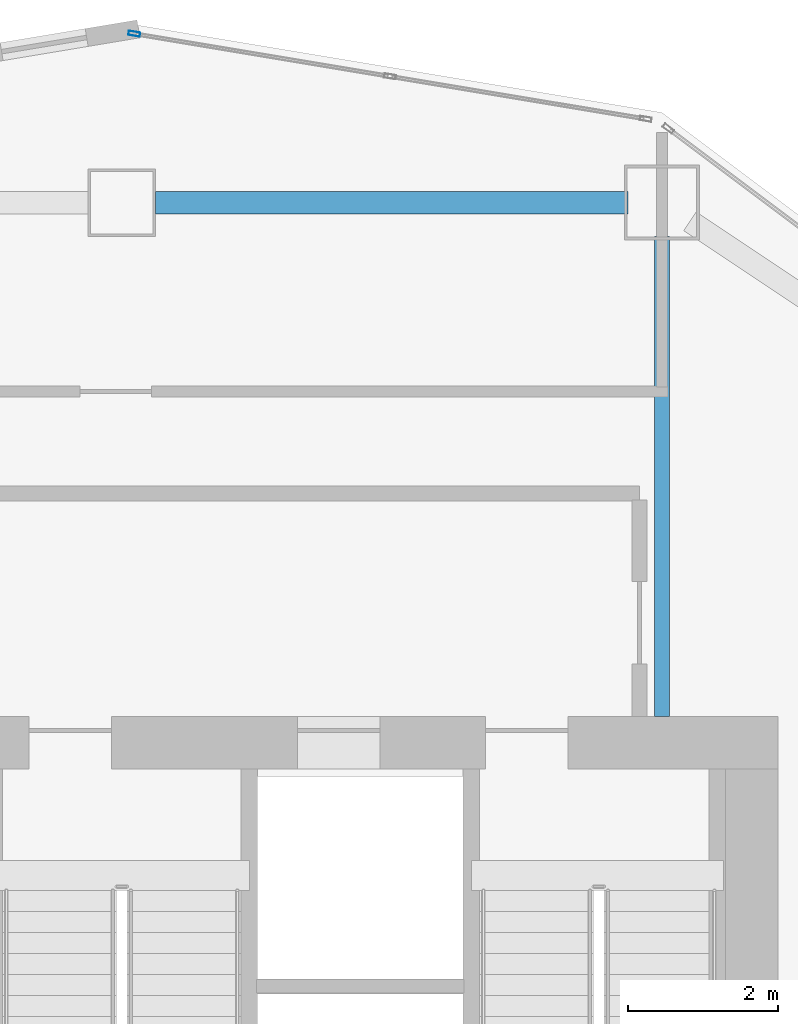
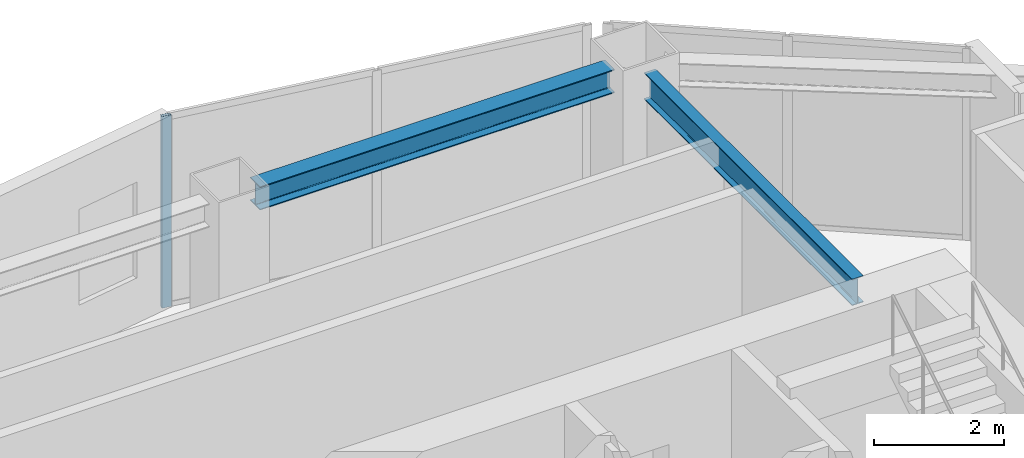
# One storey, part 2 of 13: 2 beams, 1 member, 1 element without a shape of its own.
"""IFC4 building model written with IfcOpenShell, lengths in metres."""

from ifc_helpers import new_model, si_unit, direction, frame, origin, origin_2d, place, context, subcontext, project, spatial, hollow_rectangle, i_section, extrude, material, layer, layer_set, material_profile, profile_set, type_object, element, aggregate, save


model = new_model("IFC4")

# Units and contexts
model_context = context("Model", 3, precision=1e-05, world=origin(), true_north=direction((0.0, 1.0)))
body_context = subcontext(model_context, "Body", "Model", "MODEL_VIEW")
ifc_project = project(units=[si_unit("LENGTHUNIT", "METRE"), si_unit("AREAUNIT", "SQUARE_METRE"), si_unit("VOLUMEUNIT", "CUBIC_METRE"), si_unit("PLANEANGLEUNIT", "RADIAN"), si_unit("MASSUNIT", "GRAM", prefix="KILO")], contexts=[model_context])

# Site, building, storey
site_placement = place(None, origin())
site = spatial("IfcSite", under=ifc_project, at=site_placement, CompositionType="ELEMENT")
building_placement = place(site_placement, origin())
building = spatial("IfcBuilding", under=site, at=building_placement, Name="Haolan Belvedere Tower", CompositionType="ELEMENT")
storey_placement = place(building_placement, frame((0.0, 0.0, 128.800048828125)))
storey = spatial("IfcBuildingStorey", under=building, at=storey_placement, Name="L32", CompositionType="ELEMENT", Elevation=128.800048828125)

# Beams
ifc_material_1 = material(Name="Steel Q355B", Category="steel")
ifc_material_profile_1 = material_profile(ifc_material_1, i_section(OverallWidth=0.300048828125, OverallDepth=0.43994140625, WebThickness=0.010986328125, FlangeThickness=0.01806640625, FilletRadius=0.02392578125, at=origin_2d()), Name="Steel Q355B")
ifc_profile_set_1 = profile_set([ifc_material_profile_1], Name="Steel Q355B")
beam_type_1 = type_object("IfcBeamType", Name="BM-HM440x300x11x18", PredefinedType="SPANDREL", material=ifc_profile_set_1)
beam_1_placement = place(storey_placement, frame((38.85009765625, 50.39990234375, 3.3798828125), z_axis=(1.0, 0.0, 0.0), x_axis=(0.0, 1.0, 0.0)))
element("IfcBeam", 1, at=beam_1_placement, inside=storey, type_object=beam_type_1, Name="L32 spandrel girder TC-T3-NM-MC-T3-N2", PredefinedType="SPANDREL", context=body_context, shape_type="SweptSolid", body=[
    extrude(i_section(OverallWidth=0.300048828125, OverallDepth=0.43994140625, WebThickness=0.010986328125, FlangeThickness=0.01806640625, FilletRadius=0.02392578125, at=origin_2d()), origin(), (0.0, 0.0, 1.0), 6.2998046875),
])
ifc_material_profile_2 = material_profile(ifc_material_1, i_section(OverallWidth=0.199951171875, OverallDepth=0.5, WebThickness=0.010009765625, FlangeThickness=0.01611328125, FilletRadius=0.02001953125, at=origin_2d()), Name="Steel Q355B")
ifc_profile_set_2 = profile_set([ifc_material_profile_2], Name="Steel Q355B")
beam_type_2 = type_object("IfcBeamType", Name="BM-HN500x200x10x16", PredefinedType="BEAM", material=ifc_profile_set_2)
beam_2_placement = place(storey_placement, frame((45.60009765625, 49.949951171875, 3.349853515625), z_axis=(0.0, -1.0, 0.0), x_axis=(1.0, 0.0, 0.0)))
element("IfcBeam", 2, at=beam_2_placement, inside=storey, type_object=beam_type_2, Name="L32 core tie beam from MC-T3-N2", PredefinedType="BEAM", context=body_context, shape_type="SweptSolid", body=[
    extrude(i_section(OverallWidth=0.199951171875, OverallDepth=0.5, WebThickness=0.010009765625, FlangeThickness=0.01611328125, FilletRadius=0.02001953125, at=origin_2d()), origin(), (0.0, 0.0, 1.0), 6.39990234375),
])

# Curtain wall, member
ifc_material_2 = material(Name="Anodised champagne-silver aluminium 6063-T6 and Low-E glass", Category="aluminium")
ifc_layer = layer(ifc_material_2, 0.155029296875, Name="Anodised champagne-silver aluminium 6063-T6 and Low-E glass")
ifc_layer_set = layer_set([ifc_layer], Name="Anodised champagne-silver aluminium 6063-T6 and Low-E glass")
curtain_wall_type = type_object("IfcCurtainWallType", Name="CW-SYS-03", PredefinedType="NOTDEFINED", material=ifc_layer_set)
curtain_wall_placement = place(storey_placement, origin())
curtain_wall = element("IfcCurtainWall", 3, at=curtain_wall_placement, inside=storey, type_object=curtain_wall_type, Name="L32 CW-SYS-03 ribbon curtain wall 27.1", PredefinedType="NOTDEFINED")
ifc_material_3 = material(Name="Anodised aluminium 6063-T6", Category="aluminium")
ifc_material_profile_3 = material_profile(ifc_material_3, hollow_rectangle(XDim=0.05810546875, YDim=0.155029296875, WallThickness=0.00390625, at=origin_2d()), Name="Anodised aluminium 6063-T6")
ifc_profile_set_3 = profile_set([ifc_material_profile_3], Name="Anodised aluminium 6063-T6")
member_type = type_object("IfcMemberType", Name="CW-SYS-03-MUL", PredefinedType="MULLION", material=ifc_profile_set_3)
member_placement = place(storey_placement, frame((38.566650390625, 52.650634765625, 0.0), z_axis=(0.0, 0.0, 1.0), x_axis=(-0.16440364043, -0.9863931483, 0.0)))
member = element("IfcMember", 4, at=member_placement, type_object=member_type, Name="CW-03 mullion 3", PredefinedType="MULLION", context=body_context, shape_type="SweptSolid", body=[
    extrude(hollow_rectangle(XDim=0.05810546875, YDim=0.155029296875, WallThickness=0.00390625, at=origin_2d()), origin(), (0.0, 0.0, 1.0), 3.599853515625),
])
aggregate(curtain_wall, [member])

save(model, "model.ifc")
